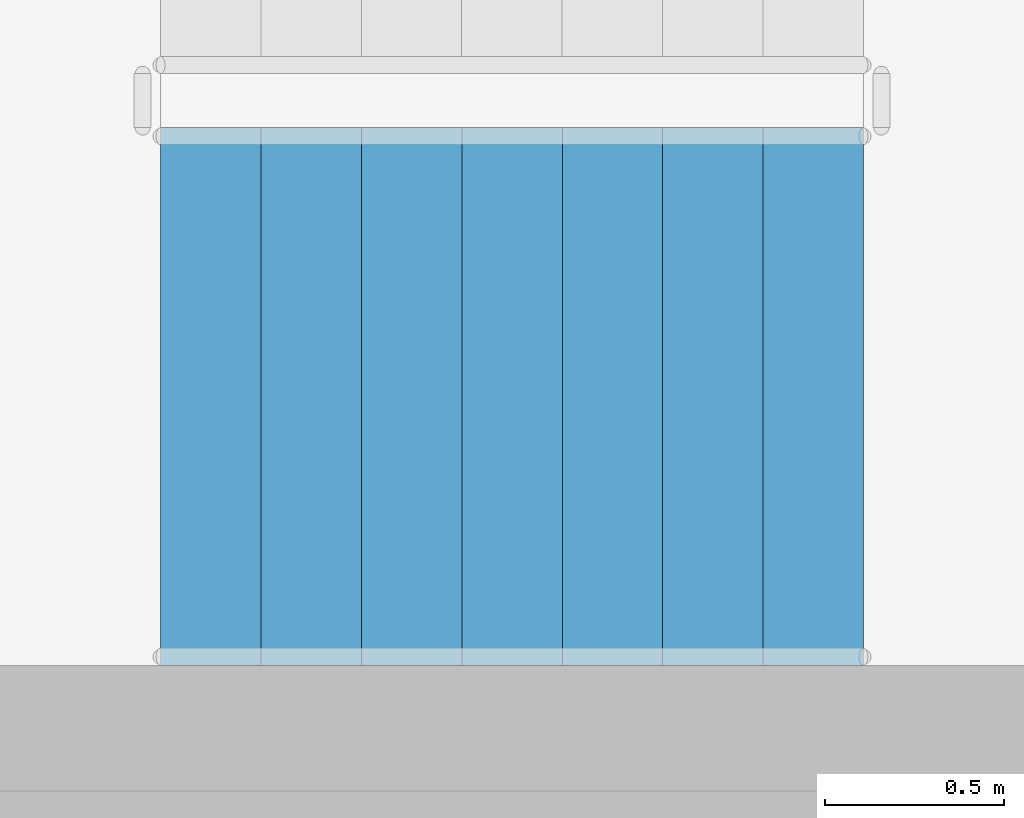
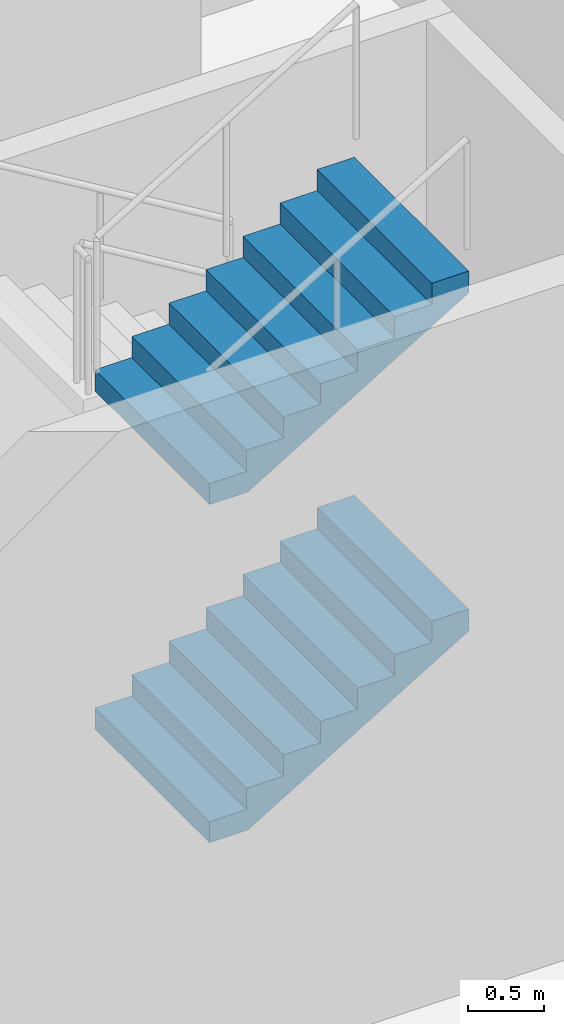
# One storey, part 43 of 101: 2 stair flights, 1 element without a shape of its own.
"""IFC4 building model written with IfcOpenShell, lengths in metres."""

from ifc_helpers import new_model, si_unit, direction, frame, origin, place, context, subcontext, project, spatial, triangles, material, type_object, element, aggregate, save


model = new_model("IFC4")

# Units and contexts
model_context = context("Model", 3, precision=1e-05, world=origin(), true_north=direction((0.0, 1.0)))
body_context = subcontext(model_context, "Body", "Model", "MODEL_VIEW")
ifc_project = project(units=[si_unit("LENGTHUNIT", "METRE"), si_unit("AREAUNIT", "SQUARE_METRE"), si_unit("VOLUMEUNIT", "CUBIC_METRE"), si_unit("PLANEANGLEUNIT", "RADIAN"), si_unit("MASSUNIT", "GRAM", prefix="KILO")], contexts=[model_context])

# Site, building, storey
site_placement = place(None, origin())
site = spatial("IfcSite", under=ifc_project, at=site_placement, CompositionType="ELEMENT")
building_placement = place(site_placement, origin())
building = spatial("IfcBuilding", under=site, at=building_placement, Name="Magnolia Steps Interchange", CompositionType="ELEMENT")
storey_placement = place(building_placement, frame((0.0, 0.0, -5.39990234375)))
storey = spatial("IfcBuildingStorey", under=building, at=storey_placement, Name="B1", CompositionType="ELEMENT", Elevation=-5.39990234375)

# Stair, stair flights
ifc_material_1 = material(Name="Concrete C40", Category="concrete")
stair_type = type_object("IfcStairType", Name="Exit stair 1500", PredefinedType="HALF_TURN_STAIR", material=ifc_material_1)
stair_placement = place(storey_placement, origin())
stair = element("IfcStair", 1, at=stair_placement, inside=storey, type_object=stair_type, Name="B1 Stair 5", PredefinedType="HALF_TURN_STAIR")
ifc_material_2 = material(Name="Concrete C40", Category="concrete")
stair_flight_type = type_object("IfcStairFlightType", Name="Exit stair flight", PredefinedType="STRAIGHT", material=ifc_material_2)
stair_flight_1_placement = place(storey_placement, frame((57.0400390625, 43.64990234375, 1.349853515625), z_axis=(0.0, 0.0, 1.0), x_axis=(1.0, 0.0, 0.0)))
stair_flight_1 = element("IfcStairFlight", 2, at=stair_flight_1_placement, type_object=stair_flight_type, Name="Stair 5 flight 2", NumberOfRisers=8, NumberOfTreads=7, PredefinedType="STRAIGHT", RiserHeight=0.16875, TreadLength=0.28, context=body_context, shape_type="Tessellation", body=[
    triangles([(0.0, -0.75, 0.0), (0.29052734375, -0.75, 0.0), (1.9599609375, -0.75, 1.00634765625), (1.9599609375, -0.75, 1.18115234375), (1.679931640625, -0.75, 1.18115234375), (1.679931640625, -0.75, 1.012451171875), (1.39990234375, -0.75, 1.012451171875), (1.39990234375, -0.75, 0.84375), (1.1201171875, -0.75, 0.84375), (1.1201171875, -0.75, 0.675048828125), (0.840087890625, -0.75, 0.675048828125), (0.840087890625, -0.75, 0.50634765625), (0.56005859375, -0.75, 0.50634765625), (0.56005859375, -0.75, 0.33740234375), (0.280029296875, -0.75, 0.33740234375), (0.280029296875, -0.75, 0.168701171875), (0.0, -0.75, 0.168701171875), (0.0, 0.75, 0.0), (0.29052734375, 0.75, 0.0), (1.9599609375, 0.75, 1.00634765625), (1.9599609375, 0.75, 1.18115234375), (1.679931640625, 0.75, 1.18115234375), (1.679931640625, 0.75, 1.012451171875), (1.39990234375, 0.75, 1.012451171875), (1.39990234375, 0.75, 0.84375), (1.1201171875, 0.75, 0.84375), (1.1201171875, 0.75, 0.675048828125), (0.840087890625, 0.75, 0.675048828125), (0.840087890625, 0.75, 0.50634765625), (0.56005859375, 0.75, 0.50634765625), (0.56005859375, 0.75, 0.33740234375), (0.280029296875, 0.75, 0.33740234375), (0.280029296875, 0.75, 0.168701171875), (0.0, 0.75, 0.168701171875), (0.0, 0.0, 0.0), (0.0, 0.0, 0.04217529296875), (0.0, 0.0, 0.0843505859375), (0.0, 0.0, 0.12652587890625), (0.0, 0.0, 0.168701171875), (0.0, -0.05, 0.0), (0.0, -0.05, 0.168701171875), (0.0, 0.05, 0.0), (0.0, 0.05, 0.168701171875), (0.046671549479166664, 0.0, 0.168701171875), (0.09334309895833333, 0.0, 0.168701171875), (0.1400146484375, 0.0, 0.168701171875), (0.18668619791666666, 0.0, 0.168701171875), (0.23335774739583334, 0.0, 0.168701171875), (0.280029296875, 0.0, 0.168701171875), (0.280029296875, -0.05, 0.168701171875), (0.280029296875, 0.05, 0.168701171875), (0.280029296875, 0.0, 0.21087646484375), (0.280029296875, 0.0, 0.2530517578125), (0.280029296875, 0.0, 0.29522705078125), (0.280029296875, 0.0, 0.33740234375), (0.280029296875, -0.05, 0.33740234375), (0.280029296875, 0.05, 0.33740234375), (0.3267008463541667, 0.0, 0.33740234375), (0.3733723958333333, 0.0, 0.33740234375), (0.4200439453125, 0.0, 0.33740234375), (0.46671549479166663, 0.0, 0.33740234375), (0.5133870442708334, 0.0, 0.33740234375), (0.56005859375, 0.0, 0.33740234375), (0.56005859375, -0.05, 0.33740234375), (0.56005859375, 0.05, 0.33740234375), (0.56005859375, 0.0, 0.379638671875), (0.56005859375, 0.0, 0.421875), (0.56005859375, 0.0, 0.464111328125), (0.56005859375, 0.0, 0.50634765625), (0.56005859375, -0.05, 0.50634765625), (0.56005859375, 0.05, 0.50634765625), (0.6067301432291666, 0.0, 0.50634765625), (0.6534016927083334, 0.0, 0.50634765625), (0.7000732421875, 0.0, 0.50634765625), (0.7467447916666666, 0.0, 0.50634765625), (0.7934163411458334, 0.0, 0.50634765625), (0.840087890625, 0.0, 0.50634765625), (0.840087890625, -0.05, 0.50634765625), (0.840087890625, 0.05, 0.50634765625), (0.840087890625, 0.0, 0.54852294921875), (0.840087890625, 0.0, 0.5906982421875), (0.840087890625, 0.0, 0.63287353515625), (0.840087890625, 0.0, 0.675048828125), (0.840087890625, -0.05, 0.675048828125), (0.840087890625, 0.05, 0.675048828125), (0.8867594401041666, 0.0, 0.675048828125), (0.9334309895833334, 0.0, 0.675048828125), (0.9801025390625, 0.0, 0.675048828125), (1.0267740885416667, 0.0, 0.675048828125), (1.0734456380208333, 0.0, 0.675048828125), (1.1201171875, 0.0, 0.675048828125), (1.1201171875, -0.05, 0.675048828125), (1.1201171875, 0.05, 0.675048828125), (1.1201171875, 0.0, 0.71722412109375), (1.1201171875, 0.0, 0.7593994140625), (1.1201171875, 0.0, 0.80157470703125), (1.1201171875, 0.0, 0.84375), (1.1201171875, -0.05, 0.84375), (1.1201171875, 0.05, 0.84375), (1.1900634765625, 0.0, 0.84375), (1.260009765625, 0.0, 0.84375), (1.3299560546875, 0.0, 0.84375), (1.39990234375, 0.0, 0.84375), (1.39990234375, -0.05, 0.84375), (1.39990234375, 0.05, 0.84375), (1.39990234375, 0.0, 0.88592529296875), (1.39990234375, 0.0, 0.9281005859375), (1.39990234375, 0.0, 0.97027587890625), (1.39990234375, 0.0, 1.012451171875), (1.39990234375, -0.05, 1.012451171875), (1.39990234375, 0.05, 1.012451171875), (1.4465738932291667, 0.0, 1.012451171875), (1.4932454427083333, 0.0, 1.012451171875), (1.5399169921875, 0.0, 1.012451171875), (1.5865885416666667, 0.0, 1.012451171875), (1.6332600911458333, 0.0, 1.012451171875), (1.679931640625, 0.0, 1.012451171875), (1.679931640625, -0.05, 1.012451171875), (1.679931640625, 0.05, 1.012451171875), (1.679931640625, 0.0, 1.05462646484375), (1.679931640625, 0.0, 1.0968017578125), (1.679931640625, 0.0, 1.13897705078125), (1.679931640625, 0.0, 1.18115234375), (1.679931640625, -0.05, 1.18115234375), (1.679931640625, 0.05, 1.18115234375), (1.7266031901041667, 0.0, 1.18115234375), (1.7732747395833333, 0.0, 1.18115234375), (1.8199462890625, 0.0, 1.18115234375), (1.8666178385416667, 0.0, 1.18115234375), (1.9132893880208333, 0.0, 1.18115234375), (1.9599609375, 0.0, 1.18115234375), (1.9599609375, -0.05, 1.18115234375), (1.9599609375, 0.05, 1.18115234375), (1.9599609375, 0.0, 1.137451171875), (1.9599609375, 0.0, 1.09375), (1.9599609375, 0.0, 1.050048828125), (1.9599609375, 0.0, 1.00634765625), (1.9599609375, -0.05, 1.00634765625), (1.9599609375, 0.05, 1.00634765625), (1.9003383091517858, 0.0, 0.9704066685267857), (1.8407156808035714, 0.0, 0.9344656808035714), (1.7810930524553572, 0.0, 0.8985246930803571), (1.7214704241071428, 0.0, 0.8625837053571428), (1.6618477957589286, 0.0, 0.8266427176339286), (1.6022251674107144, 0.0, 0.7907017299107143), (1.5426025390625, 0.0, 0.7547607421875), (1.4829799107142856, 0.0, 0.7188197544642857), (1.4233572823660714, 0.0, 0.6828787667410714), (1.3637346540178572, 0.0, 0.6469377790178572), (1.3041120256696428, 0.0, 0.6109967912946428), (1.2444893973214286, 0.0, 0.5750558035714286), (1.1848667689732144, 0.0, 0.5391148158482143), (1.125244140625, 0.0, 0.503173828125), (1.0656215122767856, 0.0, 0.4672328404017857), (1.0059988839285714, 0.0, 0.4312918526785714), (0.9463762555803572, 0.0, 0.3953508649553571), (0.8867536272321428, 0.0, 0.3594098772321429), (0.8271309988839286, 0.0, 0.3234688895089286), (0.7675083705357142, 0.0, 0.2875279017857143), (0.7078857421875, 0.0, 0.2515869140625), (0.6482631138392858, 0.0, 0.2156459263392857), (0.5886404854910714, 0.0, 0.1797049386160714), (0.5290178571428572, 0.0, 0.1437639508928571), (0.4693952287946428, 0.0, 0.1078229631696429), (0.4097726004464286, 0.0, 0.0718819754464286), (0.3501499720982142, 0.0, 0.0359409877232143), (0.29052734375, 0.0, 0.0), (0.29052734375, -0.05, 0.0), (0.29052734375, 0.05, 0.0), (0.24210611979166666, 0.0, 0.0), (0.19368489583333331, 0.0, 0.0), (0.145263671875, 0.0, 0.0), (0.09684244791666666, 0.0, 0.0), (0.04842122395833334, 0.0, 0.0)], [[1, 2, 3], [3, 4, 5], [3, 5, 6], [3, 6, 7], [3, 7, 8], [8, 9, 10], [3, 8, 10], [10, 11, 12], [3, 10, 12], [12, 13, 14], [3, 12, 14], [14, 15, 16], [3, 14, 16], [1, 3, 16], [16, 17, 1], [18, 20, 19], [20, 22, 21], [20, 23, 22], [20, 24, 23], [20, 25, 24], [25, 27, 26], [20, 27, 25], [27, 29, 28], [20, 29, 27], [29, 31, 30], [20, 31, 29], [31, 33, 32], [20, 33, 31], [18, 33, 20], [33, 18, 34], [1, 17, 41], [1, 41, 40], [40, 36, 35], [40, 37, 36], [40, 41, 37], [41, 38, 37], [41, 39, 38], [18, 43, 34], [18, 42, 43], [42, 35, 36], [42, 36, 37], [42, 37, 43], [43, 37, 38], [43, 38, 39], [17, 16, 50], [17, 50, 41], [41, 44, 39], [41, 45, 44], [41, 46, 45], [41, 50, 46], [50, 47, 46], [50, 48, 47], [50, 49, 48], [34, 51, 33], [34, 43, 51], [43, 39, 44], [43, 44, 45], [43, 45, 46], [43, 46, 51], [51, 46, 47], [51, 47, 48], [51, 48, 49], [16, 15, 56], [16, 56, 50], [50, 52, 49], [50, 53, 52], [50, 56, 53], [56, 54, 53], [56, 55, 54], [33, 57, 32], [33, 51, 57], [51, 49, 52], [51, 52, 53], [51, 53, 57], [57, 53, 54], [57, 54, 55], [15, 14, 64], [15, 64, 56], [56, 58, 55], [56, 59, 58], [56, 60, 59], [56, 64, 60], [64, 61, 60], [64, 62, 61], [64, 63, 62], [32, 65, 31], [32, 57, 65], [57, 55, 58], [57, 58, 59], [57, 59, 60], [57, 60, 65], [65, 60, 61], [65, 61, 62], [65, 62, 63], [14, 13, 70], [14, 70, 64], [64, 66, 63], [64, 67, 66], [64, 70, 67], [70, 68, 67], [70, 69, 68], [31, 71, 30], [31, 65, 71], [65, 63, 66], [65, 66, 67], [65, 67, 71], [71, 67, 68], [71, 68, 69], [13, 12, 78], [13, 78, 70], [70, 72, 69], [70, 73, 72], [70, 74, 73], [70, 78, 74], [78, 75, 74], [78, 76, 75], [78, 77, 76], [30, 79, 29], [30, 71, 79], [71, 69, 72], [71, 72, 73], [71, 73, 74], [71, 74, 79], [79, 74, 75], [79, 75, 76], [79, 76, 77], [12, 11, 84], [12, 84, 78], [78, 80, 77], [78, 81, 80], [78, 84, 81], [84, 82, 81], [84, 83, 82], [29, 85, 28], [29, 79, 85], [79, 77, 80], [79, 80, 81], [79, 81, 85], [85, 81, 82], [85, 82, 83], [11, 10, 92], [11, 92, 84], [84, 86, 83], [84, 87, 86], [84, 88, 87], [84, 92, 88], [92, 89, 88], [92, 90, 89], [92, 91, 90], [28, 93, 27], [28, 85, 93], [85, 83, 86], [85, 86, 87], [85, 87, 88], [85, 88, 93], [93, 88, 89], [93, 89, 90], [93, 90, 91], [10, 9, 98], [10, 98, 92], [92, 94, 91], [92, 95, 94], [92, 98, 95], [98, 96, 95], [98, 97, 96], [27, 99, 26], [27, 93, 99], [93, 91, 94], [93, 94, 95], [93, 95, 99], [99, 95, 96], [99, 96, 97], [9, 8, 104], [9, 104, 98], [98, 100, 97], [98, 101, 100], [98, 104, 101], [104, 102, 101], [104, 103, 102], [26, 105, 25], [26, 99, 105], [99, 97, 100], [99, 100, 101], [99, 101, 105], [105, 101, 102], [105, 102, 103], [8, 7, 110], [8, 110, 104], [104, 106, 103], [104, 107, 106], [104, 110, 107], [110, 108, 107], [110, 109, 108], [25, 111, 24], [25, 105, 111], [105, 103, 106], [105, 106, 107], [105, 107, 111], [111, 107, 108], [111, 108, 109], [7, 6, 118], [7, 118, 110], [110, 112, 109], [110, 113, 112], [110, 114, 113], [110, 118, 114], [118, 115, 114], [118, 116, 115], [118, 117, 116], [24, 119, 23], [24, 111, 119], [111, 109, 112], [111, 112, 113], [111, 113, 114], [111, 114, 119], [119, 114, 115], [119, 115, 116], [119, 116, 117], [6, 5, 124], [6, 124, 118], [118, 120, 117], [118, 121, 120], [118, 124, 121], [124, 122, 121], [124, 123, 122], [23, 125, 22], [23, 119, 125], [119, 117, 120], [119, 120, 121], [119, 121, 125], [125, 121, 122], [125, 122, 123], [5, 4, 132], [5, 132, 124], [124, 126, 123], [124, 127, 126], [124, 128, 127], [124, 132, 128], [132, 129, 128], [132, 130, 129], [132, 131, 130], [22, 133, 21], [22, 125, 133], [125, 123, 126], [125, 126, 127], [125, 127, 128], [125, 128, 133], [133, 128, 129], [133, 129, 130], [133, 130, 131], [4, 3, 138], [4, 138, 132], [132, 134, 131], [132, 135, 134], [132, 138, 135], [138, 136, 135], [138, 137, 136], [21, 139, 20], [21, 133, 139], [133, 131, 134], [133, 134, 135], [133, 135, 139], [139, 135, 136], [139, 136, 137], [3, 2, 168], [3, 168, 138], [138, 140, 137], [138, 141, 140], [138, 142, 141], [138, 143, 142], [138, 144, 143], [138, 145, 144], [138, 146, 145], [138, 147, 146], [138, 148, 147], [138, 149, 148], [138, 150, 149], [138, 151, 150], [138, 152, 151], [138, 153, 152], [138, 168, 153], [168, 154, 153], [168, 155, 154], [168, 156, 155], [168, 157, 156], [168, 158, 157], [168, 159, 158], [168, 160, 159], [168, 161, 160], [168, 162, 161], [168, 163, 162], [168, 164, 163], [168, 165, 164], [168, 166, 165], [168, 167, 166], [20, 169, 19], [20, 139, 169], [139, 137, 140], [139, 140, 141], [139, 141, 142], [139, 142, 143], [139, 143, 144], [139, 144, 145], [139, 145, 146], [139, 146, 147], [139, 147, 148], [139, 148, 149], [139, 149, 150], [139, 150, 151], [139, 151, 152], [139, 152, 153], [139, 153, 169], [169, 153, 154], [169, 154, 155], [169, 155, 156], [169, 156, 157], [169, 157, 158], [169, 158, 159], [169, 159, 160], [169, 160, 161], [169, 161, 162], [169, 162, 163], [169, 163, 164], [169, 164, 165], [169, 165, 166], [169, 166, 167], [2, 1, 40], [2, 40, 168], [168, 170, 167], [168, 171, 170], [168, 172, 171], [168, 40, 172], [40, 173, 172], [40, 174, 173], [40, 35, 174], [19, 42, 18], [19, 169, 42], [169, 167, 170], [169, 170, 171], [169, 171, 172], [169, 172, 42], [42, 172, 173], [42, 173, 174], [42, 174, 35]], closed=True),
])
stair_flight_2_placement = place(storey_placement, frame((57.0400390625, 43.64990234375, 4.0498046875), z_axis=(0.0, 0.0, 1.0), x_axis=(1.0, 0.0, 0.0)))
stair_flight_2 = element("IfcStairFlight", 3, at=stair_flight_2_placement, type_object=stair_flight_type, Name="Stair 5 flight 4", NumberOfRisers=8, NumberOfTreads=7, PredefinedType="STRAIGHT", RiserHeight=0.16875, TreadLength=0.28, context=body_context, shape_type="Tessellation", body=[
    triangles([(0.0, -0.75, 0.0), (0.29052734375, -0.75, 0.0), (1.9599609375, -0.75, 1.00634765625), (1.9599609375, -0.75, 1.18115234375), (1.679931640625, -0.75, 1.18115234375), (1.679931640625, -0.75, 1.012451171875), (1.39990234375, -0.75, 1.012451171875), (1.39990234375, -0.75, 0.84375), (1.1201171875, -0.75, 0.84375), (1.1201171875, -0.75, 0.675048828125), (0.840087890625, -0.75, 0.675048828125), (0.840087890625, -0.75, 0.50634765625), (0.56005859375, -0.75, 0.50634765625), (0.56005859375, -0.75, 0.33740234375), (0.280029296875, -0.75, 0.33740234375), (0.280029296875, -0.75, 0.168701171875), (0.0, -0.75, 0.168701171875), (0.0, 0.75, 0.0), (0.29052734375, 0.75, 0.0), (1.9599609375, 0.75, 1.00634765625), (1.9599609375, 0.75, 1.18115234375), (1.679931640625, 0.75, 1.18115234375), (1.679931640625, 0.75, 1.012451171875), (1.39990234375, 0.75, 1.012451171875), (1.39990234375, 0.75, 0.84375), (1.1201171875, 0.75, 0.84375), (1.1201171875, 0.75, 0.675048828125), (0.840087890625, 0.75, 0.675048828125), (0.840087890625, 0.75, 0.50634765625), (0.56005859375, 0.75, 0.50634765625), (0.56005859375, 0.75, 0.33740234375), (0.280029296875, 0.75, 0.33740234375), (0.280029296875, 0.75, 0.168701171875), (0.0, 0.75, 0.168701171875), (0.0, 0.0, 0.0), (0.0, 0.0, 0.04217529296875), (0.0, 0.0, 0.0843505859375), (0.0, 0.0, 0.12652587890625), (0.0, 0.0, 0.168701171875), (0.0, -0.05, 0.0), (0.0, -0.05, 0.168701171875), (0.0, 0.05, 0.0), (0.0, 0.05, 0.168701171875), (0.046671549479166664, 0.0, 0.168701171875), (0.09334309895833333, 0.0, 0.168701171875), (0.1400146484375, 0.0, 0.168701171875), (0.18668619791666666, 0.0, 0.168701171875), (0.23335774739583334, 0.0, 0.168701171875), (0.280029296875, 0.0, 0.168701171875), (0.280029296875, -0.05, 0.168701171875), (0.280029296875, 0.05, 0.168701171875), (0.280029296875, 0.0, 0.21087646484375), (0.280029296875, 0.0, 0.2530517578125), (0.280029296875, 0.0, 0.29522705078125), (0.280029296875, 0.0, 0.33740234375), (0.280029296875, -0.05, 0.33740234375), (0.280029296875, 0.05, 0.33740234375), (0.3267008463541667, 0.0, 0.33740234375), (0.3733723958333333, 0.0, 0.33740234375), (0.4200439453125, 0.0, 0.33740234375), (0.46671549479166663, 0.0, 0.33740234375), (0.5133870442708334, 0.0, 0.33740234375), (0.56005859375, 0.0, 0.33740234375), (0.56005859375, -0.05, 0.33740234375), (0.56005859375, 0.05, 0.33740234375), (0.56005859375, 0.0, 0.379638671875), (0.56005859375, 0.0, 0.421875), (0.56005859375, 0.0, 0.464111328125), (0.56005859375, 0.0, 0.50634765625), (0.56005859375, -0.05, 0.50634765625), (0.56005859375, 0.05, 0.50634765625), (0.6067301432291666, 0.0, 0.50634765625), (0.6534016927083334, 0.0, 0.50634765625), (0.7000732421875, 0.0, 0.50634765625), (0.7467447916666666, 0.0, 0.50634765625), (0.7934163411458334, 0.0, 0.50634765625), (0.840087890625, 0.0, 0.50634765625), (0.840087890625, -0.05, 0.50634765625), (0.840087890625, 0.05, 0.50634765625), (0.840087890625, 0.0, 0.54852294921875), (0.840087890625, 0.0, 0.5906982421875), (0.840087890625, 0.0, 0.63287353515625), (0.840087890625, 0.0, 0.675048828125), (0.840087890625, -0.05, 0.675048828125), (0.840087890625, 0.05, 0.675048828125), (0.8867594401041666, 0.0, 0.675048828125), (0.9334309895833334, 0.0, 0.675048828125), (0.9801025390625, 0.0, 0.675048828125), (1.0267740885416667, 0.0, 0.675048828125), (1.0734456380208333, 0.0, 0.675048828125), (1.1201171875, 0.0, 0.675048828125), (1.1201171875, -0.05, 0.675048828125), (1.1201171875, 0.05, 0.675048828125), (1.1201171875, 0.0, 0.71722412109375), (1.1201171875, 0.0, 0.7593994140625), (1.1201171875, 0.0, 0.80157470703125), (1.1201171875, 0.0, 0.84375), (1.1201171875, -0.05, 0.84375), (1.1201171875, 0.05, 0.84375), (1.1900634765625, 0.0, 0.84375), (1.260009765625, 0.0, 0.84375), (1.3299560546875, 0.0, 0.84375), (1.39990234375, 0.0, 0.84375), (1.39990234375, -0.05, 0.84375), (1.39990234375, 0.05, 0.84375), (1.39990234375, 0.0, 0.88592529296875), (1.39990234375, 0.0, 0.9281005859375), (1.39990234375, 0.0, 0.97027587890625), (1.39990234375, 0.0, 1.012451171875), (1.39990234375, -0.05, 1.012451171875), (1.39990234375, 0.05, 1.012451171875), (1.4465738932291667, 0.0, 1.012451171875), (1.4932454427083333, 0.0, 1.012451171875), (1.5399169921875, 0.0, 1.012451171875), (1.5865885416666667, 0.0, 1.012451171875), (1.6332600911458333, 0.0, 1.012451171875), (1.679931640625, 0.0, 1.012451171875), (1.679931640625, -0.05, 1.012451171875), (1.679931640625, 0.05, 1.012451171875), (1.679931640625, 0.0, 1.05462646484375), (1.679931640625, 0.0, 1.0968017578125), (1.679931640625, 0.0, 1.13897705078125), (1.679931640625, 0.0, 1.18115234375), (1.679931640625, -0.05, 1.18115234375), (1.679931640625, 0.05, 1.18115234375), (1.7266031901041667, 0.0, 1.18115234375), (1.7732747395833333, 0.0, 1.18115234375), (1.8199462890625, 0.0, 1.18115234375), (1.8666178385416667, 0.0, 1.18115234375), (1.9132893880208333, 0.0, 1.18115234375), (1.9599609375, 0.0, 1.18115234375), (1.9599609375, -0.05, 1.18115234375), (1.9599609375, 0.05, 1.18115234375), (1.9599609375, 0.0, 1.137451171875), (1.9599609375, 0.0, 1.09375), (1.9599609375, 0.0, 1.050048828125), (1.9599609375, 0.0, 1.00634765625), (1.9599609375, -0.05, 1.00634765625), (1.9599609375, 0.05, 1.00634765625), (1.9003383091517858, 0.0, 0.9704066685267857), (1.8407156808035714, 0.0, 0.9344656808035714), (1.7810930524553572, 0.0, 0.8985246930803571), (1.7214704241071428, 0.0, 0.8625837053571428), (1.6618477957589286, 0.0, 0.8266427176339286), (1.6022251674107144, 0.0, 0.7907017299107143), (1.5426025390625, 0.0, 0.7547607421875), (1.4829799107142856, 0.0, 0.7188197544642857), (1.4233572823660714, 0.0, 0.6828787667410714), (1.3637346540178572, 0.0, 0.6469377790178572), (1.3041120256696428, 0.0, 0.6109967912946428), (1.2444893973214286, 0.0, 0.5750558035714286), (1.1848667689732144, 0.0, 0.5391148158482143), (1.125244140625, 0.0, 0.503173828125), (1.0656215122767856, 0.0, 0.4672328404017857), (1.0059988839285714, 0.0, 0.4312918526785714), (0.9463762555803572, 0.0, 0.3953508649553571), (0.8867536272321428, 0.0, 0.3594098772321429), (0.8271309988839286, 0.0, 0.3234688895089286), (0.7675083705357142, 0.0, 0.2875279017857143), (0.7078857421875, 0.0, 0.2515869140625), (0.6482631138392858, 0.0, 0.2156459263392857), (0.5886404854910714, 0.0, 0.1797049386160714), (0.5290178571428572, 0.0, 0.1437639508928571), (0.4693952287946428, 0.0, 0.1078229631696429), (0.4097726004464286, 0.0, 0.0718819754464286), (0.3501499720982142, 0.0, 0.0359409877232143), (0.29052734375, 0.0, 0.0), (0.29052734375, -0.05, 0.0), (0.29052734375, 0.05, 0.0), (0.24210611979166666, 0.0, 0.0), (0.19368489583333331, 0.0, 0.0), (0.145263671875, 0.0, 0.0), (0.09684244791666666, 0.0, 0.0), (0.04842122395833334, 0.0, 0.0)], [[1, 2, 3], [3, 4, 5], [3, 5, 6], [3, 6, 7], [3, 7, 8], [8, 9, 10], [3, 8, 10], [10, 11, 12], [3, 10, 12], [12, 13, 14], [3, 12, 14], [14, 15, 16], [3, 14, 16], [1, 3, 16], [16, 17, 1], [18, 20, 19], [20, 22, 21], [20, 23, 22], [20, 24, 23], [20, 25, 24], [25, 27, 26], [20, 27, 25], [27, 29, 28], [20, 29, 27], [29, 31, 30], [20, 31, 29], [31, 33, 32], [20, 33, 31], [18, 33, 20], [33, 18, 34], [1, 17, 41], [1, 41, 40], [40, 36, 35], [40, 37, 36], [40, 41, 37], [41, 38, 37], [41, 39, 38], [18, 43, 34], [18, 42, 43], [42, 35, 36], [42, 36, 37], [42, 37, 43], [43, 37, 38], [43, 38, 39], [17, 16, 50], [17, 50, 41], [41, 44, 39], [41, 45, 44], [41, 46, 45], [41, 50, 46], [50, 47, 46], [50, 48, 47], [50, 49, 48], [34, 51, 33], [34, 43, 51], [43, 39, 44], [43, 44, 45], [43, 45, 46], [43, 46, 51], [51, 46, 47], [51, 47, 48], [51, 48, 49], [16, 15, 56], [16, 56, 50], [50, 52, 49], [50, 53, 52], [50, 56, 53], [56, 54, 53], [56, 55, 54], [33, 57, 32], [33, 51, 57], [51, 49, 52], [51, 52, 53], [51, 53, 57], [57, 53, 54], [57, 54, 55], [15, 14, 64], [15, 64, 56], [56, 58, 55], [56, 59, 58], [56, 60, 59], [56, 64, 60], [64, 61, 60], [64, 62, 61], [64, 63, 62], [32, 65, 31], [32, 57, 65], [57, 55, 58], [57, 58, 59], [57, 59, 60], [57, 60, 65], [65, 60, 61], [65, 61, 62], [65, 62, 63], [14, 13, 70], [14, 70, 64], [64, 66, 63], [64, 67, 66], [64, 70, 67], [70, 68, 67], [70, 69, 68], [31, 71, 30], [31, 65, 71], [65, 63, 66], [65, 66, 67], [65, 67, 71], [71, 67, 68], [71, 68, 69], [13, 12, 78], [13, 78, 70], [70, 72, 69], [70, 73, 72], [70, 74, 73], [70, 78, 74], [78, 75, 74], [78, 76, 75], [78, 77, 76], [30, 79, 29], [30, 71, 79], [71, 69, 72], [71, 72, 73], [71, 73, 74], [71, 74, 79], [79, 74, 75], [79, 75, 76], [79, 76, 77], [12, 11, 84], [12, 84, 78], [78, 80, 77], [78, 81, 80], [78, 84, 81], [84, 82, 81], [84, 83, 82], [29, 85, 28], [29, 79, 85], [79, 77, 80], [79, 80, 81], [79, 81, 85], [85, 81, 82], [85, 82, 83], [11, 10, 92], [11, 92, 84], [84, 86, 83], [84, 87, 86], [84, 88, 87], [84, 92, 88], [92, 89, 88], [92, 90, 89], [92, 91, 90], [28, 93, 27], [28, 85, 93], [85, 83, 86], [85, 86, 87], [85, 87, 88], [85, 88, 93], [93, 88, 89], [93, 89, 90], [93, 90, 91], [10, 9, 98], [10, 98, 92], [92, 94, 91], [92, 95, 94], [92, 98, 95], [98, 96, 95], [98, 97, 96], [27, 99, 26], [27, 93, 99], [93, 91, 94], [93, 94, 95], [93, 95, 99], [99, 95, 96], [99, 96, 97], [9, 8, 104], [9, 104, 98], [98, 100, 97], [98, 101, 100], [98, 104, 101], [104, 102, 101], [104, 103, 102], [26, 105, 25], [26, 99, 105], [99, 97, 100], [99, 100, 101], [99, 101, 105], [105, 101, 102], [105, 102, 103], [8, 7, 110], [8, 110, 104], [104, 106, 103], [104, 107, 106], [104, 110, 107], [110, 108, 107], [110, 109, 108], [25, 111, 24], [25, 105, 111], [105, 103, 106], [105, 106, 107], [105, 107, 111], [111, 107, 108], [111, 108, 109], [7, 6, 118], [7, 118, 110], [110, 112, 109], [110, 113, 112], [110, 114, 113], [110, 118, 114], [118, 115, 114], [118, 116, 115], [118, 117, 116], [24, 119, 23], [24, 111, 119], [111, 109, 112], [111, 112, 113], [111, 113, 114], [111, 114, 119], [119, 114, 115], [119, 115, 116], [119, 116, 117], [6, 5, 124], [6, 124, 118], [118, 120, 117], [118, 121, 120], [118, 124, 121], [124, 122, 121], [124, 123, 122], [23, 125, 22], [23, 119, 125], [119, 117, 120], [119, 120, 121], [119, 121, 125], [125, 121, 122], [125, 122, 123], [5, 4, 132], [5, 132, 124], [124, 126, 123], [124, 127, 126], [124, 128, 127], [124, 132, 128], [132, 129, 128], [132, 130, 129], [132, 131, 130], [22, 133, 21], [22, 125, 133], [125, 123, 126], [125, 126, 127], [125, 127, 128], [125, 128, 133], [133, 128, 129], [133, 129, 130], [133, 130, 131], [4, 3, 138], [4, 138, 132], [132, 134, 131], [132, 135, 134], [132, 138, 135], [138, 136, 135], [138, 137, 136], [21, 139, 20], [21, 133, 139], [133, 131, 134], [133, 134, 135], [133, 135, 139], [139, 135, 136], [139, 136, 137], [3, 2, 168], [3, 168, 138], [138, 140, 137], [138, 141, 140], [138, 142, 141], [138, 143, 142], [138, 144, 143], [138, 145, 144], [138, 146, 145], [138, 147, 146], [138, 148, 147], [138, 149, 148], [138, 150, 149], [138, 151, 150], [138, 152, 151], [138, 153, 152], [138, 168, 153], [168, 154, 153], [168, 155, 154], [168, 156, 155], [168, 157, 156], [168, 158, 157], [168, 159, 158], [168, 160, 159], [168, 161, 160], [168, 162, 161], [168, 163, 162], [168, 164, 163], [168, 165, 164], [168, 166, 165], [168, 167, 166], [20, 169, 19], [20, 139, 169], [139, 137, 140], [139, 140, 141], [139, 141, 142], [139, 142, 143], [139, 143, 144], [139, 144, 145], [139, 145, 146], [139, 146, 147], [139, 147, 148], [139, 148, 149], [139, 149, 150], [139, 150, 151], [139, 151, 152], [139, 152, 153], [139, 153, 169], [169, 153, 154], [169, 154, 155], [169, 155, 156], [169, 156, 157], [169, 157, 158], [169, 158, 159], [169, 159, 160], [169, 160, 161], [169, 161, 162], [169, 162, 163], [169, 163, 164], [169, 164, 165], [169, 165, 166], [169, 166, 167], [2, 1, 40], [2, 40, 168], [168, 170, 167], [168, 171, 170], [168, 172, 171], [168, 40, 172], [40, 173, 172], [40, 174, 173], [40, 35, 174], [19, 42, 18], [19, 169, 42], [169, 167, 170], [169, 170, 171], [169, 171, 172], [169, 172, 42], [42, 172, 173], [42, 173, 174], [42, 174, 35]], closed=True),
])
aggregate(stair, [stair_flight_1, stair_flight_2])

save(model, "model.ifc")
